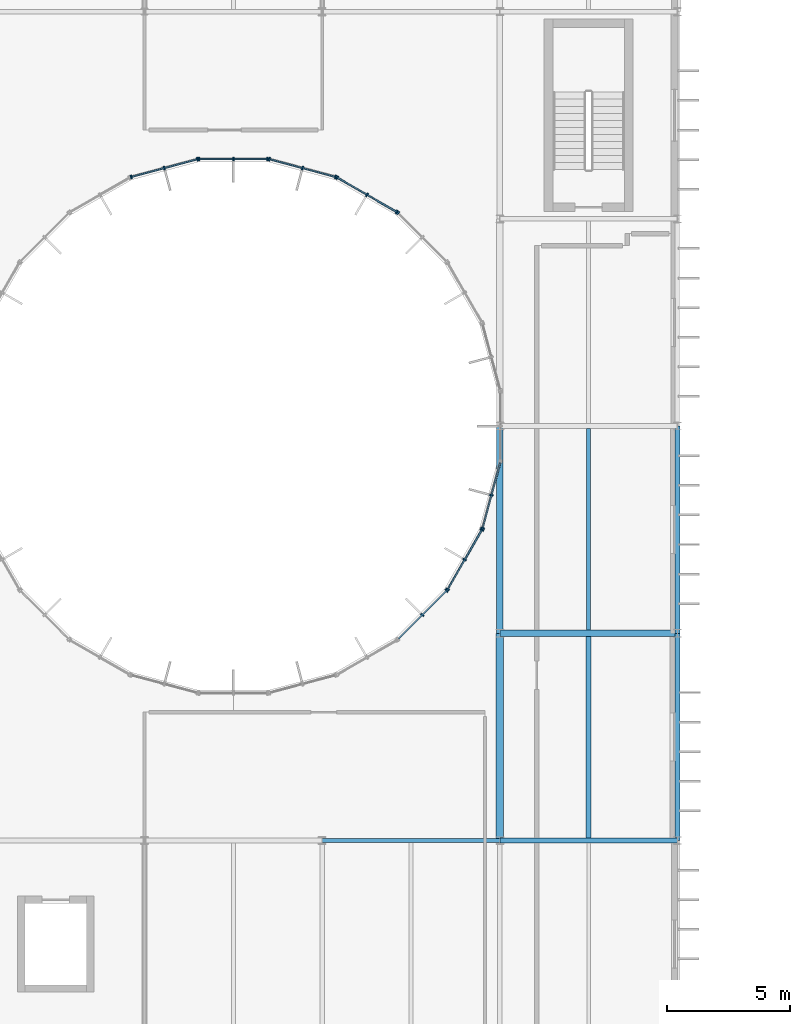
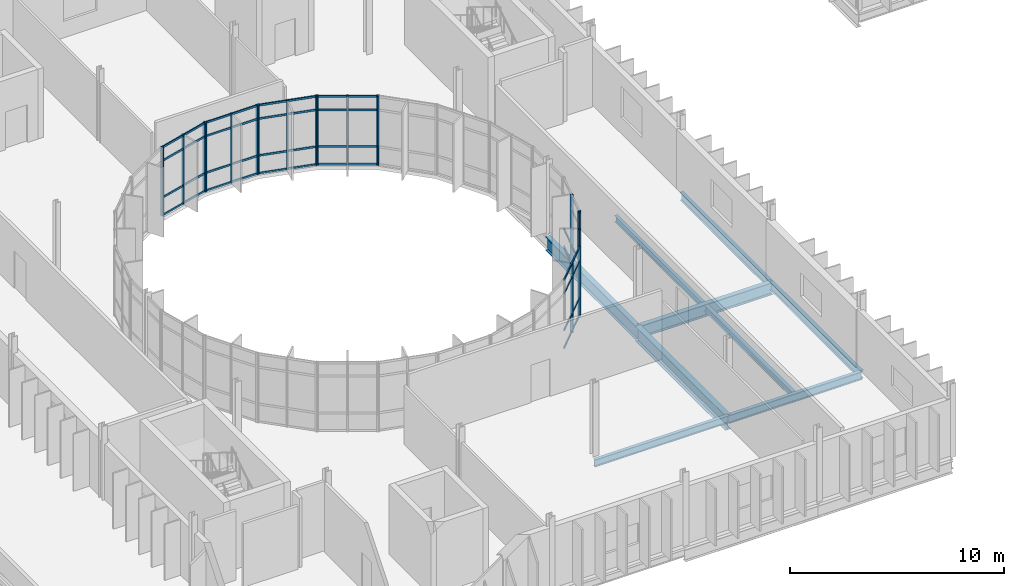
# One storey, part 16 of 52: 46 members, 9 beams, 8 elements without a shape of their own.
"""IFC4 building model written with IfcOpenShell, lengths in metres."""

from ifc_helpers import new_model, si_unit, direction, frame, origin, origin_2d, place, context, subcontext, project, spatial, rectangle, i_section, extrude, material, material_profile, profile_set, type_object, element, aggregate, save


model = new_model("IFC4")

# Units and contexts
model_context = context("Model", 3, precision=1e-05, world=origin(), true_north=direction((0.0, 1.0)))
body_context = subcontext(model_context, "Body", "Model", "MODEL_VIEW")
ifc_project = project(units=[si_unit("LENGTHUNIT", "METRE"), si_unit("AREAUNIT", "SQUARE_METRE"), si_unit("VOLUMEUNIT", "CUBIC_METRE"), si_unit("PLANEANGLEUNIT", "RADIAN"), si_unit("MASSUNIT", "GRAM", prefix="KILO")], contexts=[model_context])

# Site, building, storey
site_placement = place(None, origin())
site = spatial("IfcSite", under=ifc_project, at=site_placement, CompositionType="ELEMENT")
building_placement = place(site_placement, origin())
building = spatial("IfcBuilding", under=site, at=building_placement, Name="Qelthora Terrace Specialist Clinic", CompositionType="ELEMENT")
storey_placement = place(building_placement, frame((0.0, 0.0, 17.39990234375)))
storey = spatial("IfcBuildingStorey", under=building, at=storey_placement, Name="L04", CompositionType="ELEMENT", Elevation=17.39990234375)

# Beams
ifc_material_1 = material(Name="Steel S355", Category="steel")
ifc_material_profile_1 = material_profile(ifc_material_1, i_section(OverallWidth=0.179931640625, OverallDepth=0.4130859375, WebThickness=0.009765625, FlangeThickness=0.01611328125, FilletRadius=0.011962890625, at=origin_2d()), Name="W410X75")
ifc_profile_set_1 = profile_set([ifc_material_profile_1], Name="Steel S355")
beam_type_1 = type_object("IfcBeamType", Name="BM-W410X75", PredefinedType="BEAM", material=ifc_profile_set_1)
beam_1_placement = place(storey_placement, frame((28.800048828125, 67.199951171875, -0.456298828125), z_axis=(1.0, 0.0, 0.0), x_axis=(0.0, 1.0, 0.0)))
element("IfcBeam", 1, at=beam_1_placement, inside=storey, type_object=beam_type_1, Name="Girder BMX-L04-1157", PredefinedType="BEAM", context=body_context, shape_type="SweptSolid", body=[
    extrude(i_section(OverallWidth=0.179931640625, OverallDepth=0.4130859375, WebThickness=0.009765625, FlangeThickness=0.01611328125, FilletRadius=0.011962890625, at=origin_2d()), origin(), (0.0, 0.0, 1.0), 7.199951171875),
])
ifc_material_profile_2 = material_profile(ifc_material_1, i_section(OverallWidth=0.19091796875, OverallDepth=0.4599609375, WebThickness=0.010009765625, FlangeThickness=0.01611328125, FilletRadius=0.012939453125, at=origin_2d()), Name="W460X82")
ifc_profile_set_2 = profile_set([ifc_material_profile_2], Name="Steel S355")
beam_type_2 = type_object("IfcBeamType", Name="BM-W460X82", PredefinedType="BEAM", material=ifc_profile_set_2)
beam_2_placement = place(storey_placement, frame((36.0, 67.199951171875, -0.47998046875), z_axis=(1.0, 0.0, 0.0), x_axis=(0.0, 1.0, 0.0)))
element("IfcBeam", 2, at=beam_2_placement, inside=storey, type_object=beam_type_2, Name="Girder BMX-L04-1158", PredefinedType="BEAM", context=body_context, shape_type="SweptSolid", body=[
    extrude(i_section(OverallWidth=0.19091796875, OverallDepth=0.4599609375, WebThickness=0.010009765625, FlangeThickness=0.01611328125, FilletRadius=0.012939453125, at=origin_2d()), origin(), (0.0, 0.0, 1.0), 7.199951171875),
])
beam_3_placement = place(storey_placement, frame((43.199951171875, 75.60009765625, -0.47998046875), z_axis=(0.0, 1.0, 0.0), x_axis=(-1.0, 0.0, 0.0)))
element("IfcBeam", 3, at=beam_3_placement, inside=storey, type_object=beam_type_2, Name="Girder BMY-L04-1238", PredefinedType="BEAM", context=body_context, shape_type="SweptSolid", body=[
    extrude(i_section(OverallWidth=0.19091796875, OverallDepth=0.4599609375, WebThickness=0.010009765625, FlangeThickness=0.01611328125, FilletRadius=0.012939453125, at=origin_2d()), origin(), (0.0, 0.0, 1.0), 8.39990234375),
])
ifc_material_profile_3 = material_profile(ifc_material_1, i_section(OverallWidth=0.193115234375, OverallDepth=0.466064453125, WebThickness=0.011474609375, FlangeThickness=0.01904296875, FilletRadius=0.012939453125, at=origin_2d()), Name="W460X97")
ifc_profile_set_3 = profile_set([ifc_material_profile_3], Name="Steel S355")
beam_type_3 = type_object("IfcBeamType", Name="BM-W460X97", PredefinedType="BEAM", material=ifc_profile_set_3)
beam_4_placement = place(storey_placement, frame((43.199951171875, 67.199951171875, -0.48291015625), z_axis=(0.0, 1.0, 0.0), x_axis=(-1.0, 0.0, 0.0)))
element("IfcBeam", 4, at=beam_4_placement, inside=storey, type_object=beam_type_3, Name="Girder BMY-L04-1237", PredefinedType="BEAM", context=body_context, shape_type="SweptSolid", body=[
    extrude(i_section(OverallWidth=0.193115234375, OverallDepth=0.466064453125, WebThickness=0.011474609375, FlangeThickness=0.01904296875, FilletRadius=0.012939453125, at=origin_2d()), origin(), (0.0, 0.0, 1.0), 8.400146484375),
])
ifc_material_profile_4 = material_profile(ifc_material_1, i_section(OverallWidth=0.256103515625, OverallDepth=0.693115234375, WebThickness=0.014404296875, FlangeThickness=0.023681640625, FilletRadius=0.01806640625, at=origin_2d()), Name="W690X170")
ifc_profile_set_4 = profile_set([ifc_material_profile_4], Name="Steel S355")
beam_type_4 = type_object("IfcBeamType", Name="BM-W690X170", PredefinedType="BEAM", material=ifc_profile_set_4)
beam_5_placement = place(storey_placement, frame((36.0, 75.60009765625, -0.596435546875), z_axis=(1.0, 0.0, 0.0), x_axis=(0.0, 1.0, 0.0)))
element("IfcBeam", 5, at=beam_5_placement, inside=storey, type_object=beam_type_4, Name="Girder BMX-L04-1163", PredefinedType="BEAM", context=body_context, shape_type="SweptSolid", body=[
    extrude(i_section(OverallWidth=0.256103515625, OverallDepth=0.693115234375, WebThickness=0.014404296875, FlangeThickness=0.023681640625, FilletRadius=0.01806640625, at=origin_2d()), origin(), (0.0, 0.0, 1.0), 7.199951171875),
])
ifc_material_profile_5 = material_profile(ifc_material_1, i_section(OverallWidth=0.26806640625, OverallDepth=0.77001953125, WebThickness=0.015625, FlangeThickness=0.025390625, FilletRadius=0.01904296875, at=origin_2d()), Name="W760X196")
ifc_profile_set_5 = profile_set([ifc_material_profile_5], Name="Steel S355")
beam_type_5 = type_object("IfcBeamType", Name="BM-W760X196", PredefinedType="BEAM", material=ifc_profile_set_5)
beam_6_placement = place(storey_placement, frame((36.0, 75.60009765625, -0.635009765625), z_axis=(0.0, 1.0, 0.0), x_axis=(-1.0, 0.0, 0.0)))
element("IfcBeam", 6, at=beam_6_placement, inside=storey, type_object=beam_type_5, Name="Girder BMY-L04-1232", PredefinedType="BEAM", context=body_context, shape_type="SweptSolid", body=[
    extrude(i_section(OverallWidth=0.26806640625, OverallDepth=0.77001953125, WebThickness=0.015625, FlangeThickness=0.025390625, FilletRadius=0.01904296875, at=origin_2d()), origin(), (0.0, 0.0, 1.0), 8.39990234375),
])
ifc_material_profile_6 = material_profile(ifc_material_1, i_section(OverallWidth=0.2939453125, OverallDepth=0.85107421875, WebThickness=0.01611328125, FlangeThickness=0.02685546875, FilletRadius=0.02001953125, at=origin_2d()), Name="W840X226")
ifc_profile_set_6 = profile_set([ifc_material_profile_6], Name="Steel S355")
beam_type_6 = type_object("IfcBeamType", Name="BM-W840X226", PredefinedType="BEAM", material=ifc_profile_set_6)
beam_7_placement = place(storey_placement, frame((36.0, 67.199951171875, -0.67529296875), z_axis=(0.0, 1.0, 0.0), x_axis=(-1.0, 0.0, 0.0)))
element("IfcBeam", 7, at=beam_7_placement, inside=storey, type_object=beam_type_6, Name="Girder BMY-L04-1231", PredefinedType="BEAM", context=body_context, shape_type="SweptSolid", body=[
    extrude(i_section(OverallWidth=0.2939453125, OverallDepth=0.85107421875, WebThickness=0.01611328125, FlangeThickness=0.02685546875, FilletRadius=0.02001953125, at=origin_2d()), origin(), (0.0, 0.0, 1.0), 8.400146484375),
])

# Curtain wall, member
ifc_material_2 = material(Name="Aluminium anodized bronze", Category="aluminium")
curtain_wall_type = type_object("IfcCurtainWallType", Name="CW-CRTW-UPP", PredefinedType="NOTDEFINED", material=ifc_material_2)
curtain_wall_1_placement = place(storey_placement, origin())
curtain_wall_1 = element("IfcCurtainWall", 8, at=curtain_wall_1_placement, inside=storey, type_object=curtain_wall_type, Name="Curtain wall CW-CW-L04-03", PredefinedType="NOTDEFINED")
ifc_material_profile_7 = material_profile(ifc_material_2, rectangle(XDim=0.06005859375, YDim=0.14990234375, at=origin_2d()), Name="CWM60X150")
ifc_profile_set_7 = profile_set([ifc_material_profile_7], Name="Aluminium anodized bronze")
member_type_1 = type_object("IfcMemberType", Name="CWM-60X150", PredefinedType="MULLION", material=ifc_profile_set_7)
member_1_placement = place(storey_placement, frame((31.87353515625, 92.638916015625, 0.0), z_axis=(0.0, 0.0, 1.0), x_axis=(-0.707106781187, 0.707106781187, 0.0)))
member_1 = element("IfcMember", 9, at=member_1_placement, type_object=member_type_1, Name="CW-CW-L04-03 mullion 3", PredefinedType="MULLION", context=body_context, shape_type="SweptSolid", body=[
    extrude(rectangle(XDim=0.06005859375, YDim=0.14990234375, at=origin_2d()), origin(), (0.0, 0.0, 1.0), 3.945068359375),
])
aggregate(curtain_wall_1, [member_1])

# Curtain wall, members
curtain_wall_2_placement = place(storey_placement, origin())
curtain_wall_2 = element("IfcCurtainWall", 10, at=curtain_wall_2_placement, inside=storey, type_object=curtain_wall_type, Name="Curtain wall CW-CW-L04-04", PredefinedType="NOTDEFINED")
member_2_placement = place(storey_placement, frame((31.8173828125, 92.68212890625, 0.0), z_axis=(0.0, 0.0, 1.0), x_axis=(-0.866025635896, 0.499999597971, 0.0)))
member_2 = element("IfcMember", 11, at=member_2_placement, type_object=member_type_1, Name="CW-CW-L04-04 mullion 1", PredefinedType="MULLION", context=body_context, shape_type="SweptSolid", body=[
    extrude(rectangle(XDim=0.06005859375, YDim=0.14990234375, at=origin_2d()), origin(), (0.0, 0.0, 1.0), 3.945068359375),
])
member_3_placement = place(storey_placement, frame((30.61376953125, 93.376953125, 0.0), z_axis=(0.0, 0.0, 1.0), x_axis=(-0.866025635896, 0.499999597971, 0.0)))
member_3 = element("IfcMember", 12, at=member_3_placement, type_object=member_type_1, Name="CW-CW-L04-04 mullion 2", PredefinedType="MULLION", context=body_context, shape_type="SweptSolid", body=[
    extrude(rectangle(XDim=0.06005859375, YDim=0.14990234375, at=origin_2d()), origin(), (0.0, 0.0, 1.0), 3.945068359375),
])
member_4_placement = place(storey_placement, frame((29.410400390625, 94.07177734375, 0.0), z_axis=(0.0, 0.0, 1.0), x_axis=(-0.866025635896, 0.499999597971, 0.0)))
member_4 = element("IfcMember", 13, at=member_4_placement, type_object=member_type_1, Name="CW-CW-L04-04 mullion 3", PredefinedType="MULLION", context=body_context, shape_type="SweptSolid", body=[
    extrude(rectangle(XDim=0.06005859375, YDim=0.14990234375, at=origin_2d()), origin(), (0.0, 0.0, 1.0), 3.945068359375),
])

curtain_wall_3_placement = place(storey_placement, origin())
curtain_wall_3 = element("IfcCurtainWall", 14, at=curtain_wall_3_placement, inside=storey, type_object=curtain_wall_type, Name="Curtain wall CW-CW-L04-05", PredefinedType="NOTDEFINED")
member_5_placement = place(storey_placement, frame((29.3447265625, 94.098876953125, 0.0), z_axis=(0.0, 0.0, 1.0), x_axis=(-0.96592547477, 0.258820356987, 0.0)))
member_5 = element("IfcMember", 15, at=member_5_placement, type_object=member_type_1, Name="CW-CW-L04-05 mullion 1", PredefinedType="MULLION", context=body_context, shape_type="SweptSolid", body=[
    extrude(rectangle(XDim=0.06005859375, YDim=0.14990234375, at=origin_2d()), origin(), (0.0, 0.0, 1.0), 3.945068359375),
])
member_6_placement = place(storey_placement, frame((28.00244140625, 94.458740234375, 0.0), z_axis=(0.0, 0.0, 1.0), x_axis=(-0.96592547477, 0.258820356987, 0.0)))
member_6 = element("IfcMember", 16, at=member_6_placement, type_object=member_type_1, Name="CW-CW-L04-05 mullion 2", PredefinedType="MULLION", context=body_context, shape_type="SweptSolid", body=[
    extrude(rectangle(XDim=0.06005859375, YDim=0.14990234375, at=origin_2d()), origin(), (0.0, 0.0, 1.0), 3.945068359375),
])
member_7_placement = place(storey_placement, frame((26.66015625, 94.818359375, 0.0), z_axis=(0.0, 0.0, 1.0), x_axis=(-0.96592547477, 0.258820356987, 0.0)))
member_7 = element("IfcMember", 17, at=member_7_placement, type_object=member_type_1, Name="CW-CW-L04-05 mullion 3", PredefinedType="MULLION", context=body_context, shape_type="SweptSolid", body=[
    extrude(rectangle(XDim=0.06005859375, YDim=0.14990234375, at=origin_2d()), origin(), (0.0, 0.0, 1.0), 3.945068359375),
])

curtain_wall_4_placement = place(storey_placement, origin())
curtain_wall_4 = element("IfcCurtainWall", 18, at=curtain_wall_4_placement, inside=storey, type_object=curtain_wall_type, Name="Curtain wall CW-CW-L04-06", PredefinedType="NOTDEFINED")
member_8_placement = place(storey_placement, frame((26.589599609375, 94.82763671875, 0.0), z_axis=(0.0, 0.0, 1.0), x_axis=(-1.0, 0.0, 0.0)))
member_8 = element("IfcMember", 19, at=member_8_placement, type_object=member_type_1, Name="CW-CW-L04-06 mullion 1", PredefinedType="MULLION", context=body_context, shape_type="SweptSolid", body=[
    extrude(rectangle(XDim=0.06005859375, YDim=0.14990234375, at=origin_2d()), origin(), (0.0, 0.0, 1.0), 3.945068359375),
])
member_9_placement = place(storey_placement, frame((25.199951171875, 94.82763671875, 0.0), z_axis=(0.0, 0.0, 1.0), x_axis=(-1.0, 0.0, 0.0)))
member_9 = element("IfcMember", 20, at=member_9_placement, type_object=member_type_1, Name="CW-CW-L04-06 mullion 2", PredefinedType="MULLION", context=body_context, shape_type="SweptSolid", body=[
    extrude(rectangle(XDim=0.06005859375, YDim=0.14990234375, at=origin_2d()), origin(), (0.0, 0.0, 1.0), 3.945068359375),
])
member_10_placement = place(storey_placement, frame((23.810302734375, 94.82763671875, 0.0), z_axis=(0.0, 0.0, 1.0), x_axis=(-1.0, 0.0, 0.0)))
member_10 = element("IfcMember", 21, at=member_10_placement, type_object=member_type_1, Name="CW-CW-L04-06 mullion 3", PredefinedType="MULLION", context=body_context, shape_type="SweptSolid", body=[
    extrude(rectangle(XDim=0.06005859375, YDim=0.14990234375, at=origin_2d()), origin(), (0.0, 0.0, 1.0), 3.945068359375),
])

curtain_wall_5_placement = place(storey_placement, origin())
curtain_wall_5 = element("IfcCurtainWall", 22, at=curtain_wall_5_placement, inside=storey, type_object=curtain_wall_type, Name="Curtain wall CW-CW-L04-07", PredefinedType="NOTDEFINED")
member_11_placement = place(storey_placement, frame((23.739990234375, 94.818359375, 0.0), z_axis=(0.0, 0.0, 1.0), x_axis=(-0.96592547477, -0.258820356987, 0.0)))
member_11 = element("IfcMember", 23, at=member_11_placement, type_object=member_type_1, Name="CW-CW-L04-07 mullion 1", PredefinedType="MULLION", context=body_context, shape_type="SweptSolid", body=[
    extrude(rectangle(XDim=0.06005859375, YDim=0.14990234375, at=origin_2d()), origin(), (0.0, 0.0, 1.0), 3.945068359375),
])
member_12_placement = place(storey_placement, frame((22.397705078125, 94.458740234375, 0.0), z_axis=(0.0, 0.0, 1.0), x_axis=(-0.96592547477, -0.258820356987, 0.0)))
member_12 = element("IfcMember", 24, at=member_12_placement, type_object=member_type_1, Name="CW-CW-L04-07 mullion 2", PredefinedType="MULLION", context=body_context, shape_type="SweptSolid", body=[
    extrude(rectangle(XDim=0.06005859375, YDim=0.14990234375, at=origin_2d()), origin(), (0.0, 0.0, 1.0), 3.945068359375),
])
member_13_placement = place(storey_placement, frame((21.05517578125, 94.098876953125, 0.0), z_axis=(0.0, 0.0, 1.0), x_axis=(-0.96592547477, -0.258820356987, 0.0)))
member_13 = element("IfcMember", 25, at=member_13_placement, type_object=member_type_1, Name="CW-CW-L04-07 mullion 3", PredefinedType="MULLION", context=body_context, shape_type="SweptSolid", body=[
    extrude(rectangle(XDim=0.06005859375, YDim=0.14990234375, at=origin_2d()), origin(), (0.0, 0.0, 1.0), 3.945068359375),
])

curtain_wall_6_placement = place(storey_placement, origin())
curtain_wall_6 = element("IfcCurtainWall", 26, at=curtain_wall_6_placement, inside=storey, type_object=curtain_wall_type, Name="Curtain wall CW-CW-L04-21", PredefinedType="NOTDEFINED")
member_14_placement = place(storey_placement, frame((32.856201171875, 76.34375, 0.0), z_axis=(0.0, 0.0, 1.0), x_axis=(0.707106781187, 0.707106781187, 0.0)))
member_14 = element("IfcMember", 27, at=member_14_placement, type_object=member_type_1, Name="CW-CW-L04-21 mullion 2", PredefinedType="MULLION", context=body_context, shape_type="SweptSolid", body=[
    extrude(rectangle(XDim=0.06005859375, YDim=0.14990234375, at=origin_2d()), origin(), (0.0, 0.0, 1.0), 3.945068359375),
])
member_15_placement = place(storey_placement, frame((33.8388671875, 77.326416015625, 0.0), z_axis=(0.0, 0.0, 1.0), x_axis=(0.707106781187, 0.707106781187, 0.0)))
member_15 = element("IfcMember", 28, at=member_15_placement, type_object=member_type_1, Name="CW-CW-L04-21 mullion 3", PredefinedType="MULLION", context=body_context, shape_type="SweptSolid", body=[
    extrude(rectangle(XDim=0.06005859375, YDim=0.14990234375, at=origin_2d()), origin(), (0.0, 0.0, 1.0), 3.945068359375),
])

curtain_wall_7_placement = place(storey_placement, origin())
curtain_wall_7 = element("IfcCurtainWall", 29, at=curtain_wall_7_placement, inside=storey, type_object=curtain_wall_type, Name="Curtain wall CW-CW-L04-22", PredefinedType="NOTDEFINED")
member_16_placement = place(storey_placement, frame((33.882080078125, 77.3828125, 0.0), z_axis=(0.0, 0.0, 1.0), x_axis=(0.499999597971, 0.866025635896, 0.0)))
member_16 = element("IfcMember", 30, at=member_16_placement, type_object=member_type_1, Name="CW-CW-L04-22 mullion 1", PredefinedType="MULLION", context=body_context, shape_type="SweptSolid", body=[
    extrude(rectangle(XDim=0.06005859375, YDim=0.14990234375, at=origin_2d()), origin(), (0.0, 0.0, 1.0), 3.945068359375),
])
member_17_placement = place(storey_placement, frame((34.576904296875, 78.586181640625, 0.0), z_axis=(0.0, 0.0, 1.0), x_axis=(0.499999597971, 0.866025635896, 0.0)))
member_17 = element("IfcMember", 31, at=member_17_placement, type_object=member_type_1, Name="CW-CW-L04-22 mullion 2", PredefinedType="MULLION", context=body_context, shape_type="SweptSolid", body=[
    extrude(rectangle(XDim=0.06005859375, YDim=0.14990234375, at=origin_2d()), origin(), (0.0, 0.0, 1.0), 3.945068359375),
])
member_18_placement = place(storey_placement, frame((35.271728515625, 79.789794921875, 0.0), z_axis=(0.0, 0.0, 1.0), x_axis=(0.499999597971, 0.866025635896, 0.0)))
member_18 = element("IfcMember", 32, at=member_18_placement, type_object=member_type_1, Name="CW-CW-L04-22 mullion 3", PredefinedType="MULLION", context=body_context, shape_type="SweptSolid", body=[
    extrude(rectangle(XDim=0.06005859375, YDim=0.14990234375, at=origin_2d()), origin(), (0.0, 0.0, 1.0), 3.945068359375),
])

curtain_wall_8_placement = place(storey_placement, origin())
curtain_wall_8 = element("IfcCurtainWall", 33, at=curtain_wall_8_placement, inside=storey, type_object=curtain_wall_type, Name="Curtain wall CW-CW-L04-23", PredefinedType="NOTDEFINED")
member_19_placement = place(storey_placement, frame((35.299072265625, 79.855224609375, 0.0), z_axis=(0.0, 0.0, 1.0), x_axis=(0.258820356987, 0.96592547477, 0.0)))
member_19 = element("IfcMember", 34, at=member_19_placement, type_object=member_type_1, Name="CW-CW-L04-23 mullion 1", PredefinedType="MULLION", context=body_context, shape_type="SweptSolid", body=[
    extrude(rectangle(XDim=0.06005859375, YDim=0.14990234375, at=origin_2d()), origin(), (0.0, 0.0, 1.0), 3.945068359375),
])
member_20_placement = place(storey_placement, frame((35.65869140625, 81.197509765625, 0.0), z_axis=(0.0, 0.0, 1.0), x_axis=(0.258820356987, 0.96592547477, 0.0)))
member_20 = element("IfcMember", 35, at=member_20_placement, type_object=member_type_1, Name="CW-CW-L04-23 mullion 2", PredefinedType="MULLION", context=body_context, shape_type="SweptSolid", body=[
    extrude(rectangle(XDim=0.06005859375, YDim=0.14990234375, at=origin_2d()), origin(), (0.0, 0.0, 1.0), 3.945068359375),
])

# Member
ifc_material_profile_8 = material_profile(ifc_material_2, rectangle(XDim=0.06005859375, YDim=0.110107421875, at=origin_2d()), Name="CWT60X110")
ifc_profile_set_8 = profile_set([ifc_material_profile_8], Name="Aluminium anodized bronze")
member_type_2 = type_object("IfcMemberType", Name="CWT-60X110", PredefinedType="USERDEFINED", material=ifc_profile_set_8)
member_21_placement = place(storey_placement, frame((31.800048828125, 92.692138671875, 0.0400390625), z_axis=(-0.866029747927, 0.499992475648, 0.0), x_axis=(-0.499992475648, -0.866029747927, 0.0)))
member_21 = element("IfcMember", 36, at=member_21_placement, type_object=member_type_2, Name="CW-CW-L04-04 transom 1", ObjectType="TRANSOM", PredefinedType="USERDEFINED", context=body_context, shape_type="SweptSolid", body=[
    extrude(rectangle(XDim=0.06005859375, YDim=0.110107421875, at=origin_2d()), origin(), (0.0, 0.0, 1.0), 2.7392578125),
])

member_22_placement = place(storey_placement, frame((31.800048828125, 92.692138671875, 1.050048828125), z_axis=(-0.866029747927, 0.499992475648, 0.0), x_axis=(-0.499992475648, -0.866029747927, 0.0)))
member_22 = element("IfcMember", 37, at=member_22_placement, type_object=member_type_2, Name="CW-CW-L04-04 transom 2", ObjectType="TRANSOM", PredefinedType="USERDEFINED", context=body_context, shape_type="SweptSolid", body=[
    extrude(rectangle(XDim=0.06005859375, YDim=0.110107421875, at=origin_2d()), origin(), (0.0, 0.0, 1.0), 2.7392578125),
])

member_23_placement = place(storey_placement, frame((31.800048828125, 92.692138671875, 3.14501953125), z_axis=(-0.866029747927, 0.499992475648, 0.0), x_axis=(-0.499992475648, -0.866029747927, 0.0)))
member_23 = element("IfcMember", 38, at=member_23_placement, type_object=member_type_2, Name="CW-CW-L04-04 transom 3", ObjectType="TRANSOM", PredefinedType="USERDEFINED", context=body_context, shape_type="SweptSolid", body=[
    extrude(rectangle(XDim=0.06005859375, YDim=0.110107421875, at=origin_2d()), origin(), (0.0, 0.0, 1.0), 2.7392578125),
])

member_24_placement = place(storey_placement, frame((31.800048828125, 92.692138671875, 3.905029296875), z_axis=(-0.866029747927, 0.499992475648, 0.0), x_axis=(-0.499992475648, -0.866029747927, 0.0)))
member_24 = element("IfcMember", 39, at=member_24_placement, type_object=member_type_2, Name="CW-CW-L04-04 transom 4", ObjectType="TRANSOM", PredefinedType="USERDEFINED", context=body_context, shape_type="SweptSolid", body=[
    extrude(rectangle(XDim=0.06005859375, YDim=0.110107421875, at=origin_2d()), origin(), (0.0, 0.0, 1.0), 2.7392578125),
])

aggregate(curtain_wall_2, [member_2, member_3, member_4, member_21, member_22, member_23, member_24])

member_25_placement = place(storey_placement, frame((29.325439453125, 94.104248046875, 0.0400390625), z_axis=(-0.965926569303, 0.258816272122, 0.0), x_axis=(-0.258816272122, -0.965926569303, 0.0)))
member_25 = element("IfcMember", 40, at=member_25_placement, type_object=member_type_2, Name="CW-CW-L04-05 transom 1", ObjectType="TRANSOM", PredefinedType="USERDEFINED", context=body_context, shape_type="SweptSolid", body=[
    extrude(rectangle(XDim=0.06005859375, YDim=0.110107421875, at=origin_2d()), origin(), (0.0, 0.0, 1.0), 2.7392578125),
])

member_26_placement = place(storey_placement, frame((29.325439453125, 94.104248046875, 1.050048828125), z_axis=(-0.965926569303, 0.258816272122, 0.0), x_axis=(-0.258816272122, -0.965926569303, 0.0)))
member_26 = element("IfcMember", 41, at=member_26_placement, type_object=member_type_2, Name="CW-CW-L04-05 transom 2", ObjectType="TRANSOM", PredefinedType="USERDEFINED", context=body_context, shape_type="SweptSolid", body=[
    extrude(rectangle(XDim=0.06005859375, YDim=0.110107421875, at=origin_2d()), origin(), (0.0, 0.0, 1.0), 2.7392578125),
])

member_27_placement = place(storey_placement, frame((29.325439453125, 94.104248046875, 3.14501953125), z_axis=(-0.965926569303, 0.258816272122, 0.0), x_axis=(-0.258816272122, -0.965926569303, 0.0)))
member_27 = element("IfcMember", 42, at=member_27_placement, type_object=member_type_2, Name="CW-CW-L04-05 transom 3", ObjectType="TRANSOM", PredefinedType="USERDEFINED", context=body_context, shape_type="SweptSolid", body=[
    extrude(rectangle(XDim=0.06005859375, YDim=0.110107421875, at=origin_2d()), origin(), (0.0, 0.0, 1.0), 2.7392578125),
])

member_28_placement = place(storey_placement, frame((29.325439453125, 94.104248046875, 3.905029296875), z_axis=(-0.965926569303, 0.258816272122, 0.0), x_axis=(-0.258816272122, -0.965926569303, 0.0)))
member_28 = element("IfcMember", 43, at=member_28_placement, type_object=member_type_2, Name="CW-CW-L04-05 transom 4", ObjectType="TRANSOM", PredefinedType="USERDEFINED", context=body_context, shape_type="SweptSolid", body=[
    extrude(rectangle(XDim=0.06005859375, YDim=0.110107421875, at=origin_2d()), origin(), (0.0, 0.0, 1.0), 2.7392578125),
])

aggregate(curtain_wall_3, [member_5, member_6, member_7, member_25, member_26, member_27, member_28])

member_29_placement = place(storey_placement, frame((26.569580078125, 94.82763671875, 0.0400390625), z_axis=(-1.0, 0.0, 0.0), x_axis=(0.0, -1.0, 0.0)))
member_29 = element("IfcMember", 44, at=member_29_placement, type_object=member_type_2, Name="CW-CW-L04-06 transom 1", ObjectType="TRANSOM", PredefinedType="USERDEFINED", context=body_context, shape_type="SweptSolid", body=[
    extrude(rectangle(XDim=0.06005859375, YDim=0.110107421875, at=origin_2d()), origin(), (0.0, 0.0, 1.0), 2.7392578125),
])

member_30_placement = place(storey_placement, frame((26.569580078125, 94.82763671875, 1.050048828125), z_axis=(-1.0, 0.0, 0.0), x_axis=(0.0, -1.0, 0.0)))
member_30 = element("IfcMember", 45, at=member_30_placement, type_object=member_type_2, Name="CW-CW-L04-06 transom 2", ObjectType="TRANSOM", PredefinedType="USERDEFINED", context=body_context, shape_type="SweptSolid", body=[
    extrude(rectangle(XDim=0.06005859375, YDim=0.110107421875, at=origin_2d()), origin(), (0.0, 0.0, 1.0), 2.7392578125),
])

member_31_placement = place(storey_placement, frame((26.569580078125, 94.82763671875, 3.14501953125), z_axis=(-1.0, 0.0, 0.0), x_axis=(0.0, -1.0, 0.0)))
member_31 = element("IfcMember", 46, at=member_31_placement, type_object=member_type_2, Name="CW-CW-L04-06 transom 3", ObjectType="TRANSOM", PredefinedType="USERDEFINED", context=body_context, shape_type="SweptSolid", body=[
    extrude(rectangle(XDim=0.06005859375, YDim=0.110107421875, at=origin_2d()), origin(), (0.0, 0.0, 1.0), 2.7392578125),
])

member_32_placement = place(storey_placement, frame((26.569580078125, 94.82763671875, 3.905029296875), z_axis=(-1.0, 0.0, 0.0), x_axis=(0.0, -1.0, 0.0)))
member_32 = element("IfcMember", 47, at=member_32_placement, type_object=member_type_2, Name="CW-CW-L04-06 transom 4", ObjectType="TRANSOM", PredefinedType="USERDEFINED", context=body_context, shape_type="SweptSolid", body=[
    extrude(rectangle(XDim=0.06005859375, YDim=0.110107421875, at=origin_2d()), origin(), (0.0, 0.0, 1.0), 2.7392578125),
])

aggregate(curtain_wall_4, [member_8, member_9, member_10, member_29, member_30, member_31, member_32])

member_33_placement = place(storey_placement, frame((23.720703125, 94.813232421875, 0.0400390625), z_axis=(-0.965926569303, -0.258816272122, 0.0), x_axis=(0.258816272122, -0.965926569303, 0.0)))
member_33 = element("IfcMember", 48, at=member_33_placement, type_object=member_type_2, Name="CW-CW-L04-07 transom 1", ObjectType="TRANSOM", PredefinedType="USERDEFINED", context=body_context, shape_type="SweptSolid", body=[
    extrude(rectangle(XDim=0.06005859375, YDim=0.110107421875, at=origin_2d()), origin(), (0.0, 0.0, 1.0), 2.7392578125),
])

member_34_placement = place(storey_placement, frame((23.720703125, 94.813232421875, 1.050048828125), z_axis=(-0.965926569303, -0.258816272122, 0.0), x_axis=(0.258816272122, -0.965926569303, 0.0)))
member_34 = element("IfcMember", 49, at=member_34_placement, type_object=member_type_2, Name="CW-CW-L04-07 transom 2", ObjectType="TRANSOM", PredefinedType="USERDEFINED", context=body_context, shape_type="SweptSolid", body=[
    extrude(rectangle(XDim=0.06005859375, YDim=0.110107421875, at=origin_2d()), origin(), (0.0, 0.0, 1.0), 2.7392578125),
])

member_35_placement = place(storey_placement, frame((23.720703125, 94.813232421875, 3.14501953125), z_axis=(-0.965926569303, -0.258816272122, 0.0), x_axis=(0.258816272122, -0.965926569303, 0.0)))
member_35 = element("IfcMember", 50, at=member_35_placement, type_object=member_type_2, Name="CW-CW-L04-07 transom 3", ObjectType="TRANSOM", PredefinedType="USERDEFINED", context=body_context, shape_type="SweptSolid", body=[
    extrude(rectangle(XDim=0.06005859375, YDim=0.110107421875, at=origin_2d()), origin(), (0.0, 0.0, 1.0), 2.7392578125),
])

member_36_placement = place(storey_placement, frame((23.720703125, 94.813232421875, 3.905029296875), z_axis=(-0.965926569303, -0.258816272122, 0.0), x_axis=(0.258816272122, -0.965926569303, 0.0)))
member_36 = element("IfcMember", 51, at=member_36_placement, type_object=member_type_2, Name="CW-CW-L04-07 transom 4", ObjectType="TRANSOM", PredefinedType="USERDEFINED", context=body_context, shape_type="SweptSolid", body=[
    extrude(rectangle(XDim=0.06005859375, YDim=0.110107421875, at=origin_2d()), origin(), (0.0, 0.0, 1.0), 2.7392578125),
])

aggregate(curtain_wall_5, [member_11, member_12, member_13, member_33, member_34, member_35, member_36])

member_37_placement = place(storey_placement, frame((31.8876953125, 75.375244140625, 0.0400390625), z_axis=(0.707106781187, 0.707106781187, 0.0), x_axis=(-0.707106781187, 0.707106781187, 0.0)))
member_37 = element("IfcMember", 52, at=member_37_placement, type_object=member_type_2, Name="CW-CW-L04-21 transom 1", ObjectType="TRANSOM", PredefinedType="USERDEFINED", context=body_context, shape_type="SweptSolid", body=[
    extrude(rectangle(XDim=0.06005859375, YDim=0.110107421875, at=origin_2d()), origin(), (0.0, 0.0, 1.0), 2.7392578125),
])

member_38_placement = place(storey_placement, frame((31.8876953125, 75.375244140625, 1.050048828125), z_axis=(0.707106781187, 0.707106781187, 0.0), x_axis=(-0.707106781187, 0.707106781187, 0.0)))
member_38 = element("IfcMember", 53, at=member_38_placement, type_object=member_type_2, Name="CW-CW-L04-21 transom 2", ObjectType="TRANSOM", PredefinedType="USERDEFINED", context=body_context, shape_type="SweptSolid", body=[
    extrude(rectangle(XDim=0.06005859375, YDim=0.110107421875, at=origin_2d()), origin(), (0.0, 0.0, 1.0), 2.7392578125),
])

member_39_placement = place(storey_placement, frame((31.8876953125, 75.375244140625, 3.14501953125), z_axis=(0.707106781187, 0.707106781187, 0.0), x_axis=(-0.707106781187, 0.707106781187, 0.0)))
member_39 = element("IfcMember", 54, at=member_39_placement, type_object=member_type_2, Name="CW-CW-L04-21 transom 3", ObjectType="TRANSOM", PredefinedType="USERDEFINED", context=body_context, shape_type="SweptSolid", body=[
    extrude(rectangle(XDim=0.06005859375, YDim=0.110107421875, at=origin_2d()), origin(), (0.0, 0.0, 1.0), 2.7392578125),
])

member_40_placement = place(storey_placement, frame((31.8876953125, 75.375244140625, 3.905029296875), z_axis=(0.707106781187, 0.707106781187, 0.0), x_axis=(-0.707106781187, 0.707106781187, 0.0)))
member_40 = element("IfcMember", 55, at=member_40_placement, type_object=member_type_2, Name="CW-CW-L04-21 transom 4", ObjectType="TRANSOM", PredefinedType="USERDEFINED", context=body_context, shape_type="SweptSolid", body=[
    extrude(rectangle(XDim=0.06005859375, YDim=0.110107421875, at=origin_2d()), origin(), (0.0, 0.0, 1.0), 2.7392578125),
])

aggregate(curtain_wall_6, [member_14, member_15, member_37, member_38, member_39, member_40])

member_41_placement = place(storey_placement, frame((33.89208984375, 77.39990234375, 0.0400390625), z_axis=(0.499953886166, 0.866052025982, 0.0), x_axis=(-0.866052025982, 0.499953886166, 0.0)))
member_41 = element("IfcMember", 56, at=member_41_placement, type_object=member_type_2, Name="CW-CW-L04-22 transom 1", ObjectType="TRANSOM", PredefinedType="USERDEFINED", context=body_context, shape_type="SweptSolid", body=[
    extrude(rectangle(XDim=0.06005859375, YDim=0.110107421875, at=origin_2d()), origin(), (0.0, 0.0, 1.0), 2.739501953125),
])

member_42_placement = place(storey_placement, frame((33.89208984375, 77.39990234375, 1.050048828125), z_axis=(0.499953886166, 0.866052025982, 0.0), x_axis=(-0.866052025982, 0.499953886166, 0.0)))
member_42 = element("IfcMember", 57, at=member_42_placement, type_object=member_type_2, Name="CW-CW-L04-22 transom 2", ObjectType="TRANSOM", PredefinedType="USERDEFINED", context=body_context, shape_type="SweptSolid", body=[
    extrude(rectangle(XDim=0.06005859375, YDim=0.110107421875, at=origin_2d()), origin(), (0.0, 0.0, 1.0), 2.739501953125),
])

member_43_placement = place(storey_placement, frame((33.89208984375, 77.39990234375, 3.14501953125), z_axis=(0.499953886166, 0.866052025982, 0.0), x_axis=(-0.866052025982, 0.499953886166, 0.0)))
member_43 = element("IfcMember", 58, at=member_43_placement, type_object=member_type_2, Name="CW-CW-L04-22 transom 3", ObjectType="TRANSOM", PredefinedType="USERDEFINED", context=body_context, shape_type="SweptSolid", body=[
    extrude(rectangle(XDim=0.06005859375, YDim=0.110107421875, at=origin_2d()), origin(), (0.0, 0.0, 1.0), 2.739501953125),
])

member_44_placement = place(storey_placement, frame((33.89208984375, 77.39990234375, 3.905029296875), z_axis=(0.499953886166, 0.866052025982, 0.0), x_axis=(-0.866052025982, 0.499953886166, 0.0)))
member_44 = element("IfcMember", 59, at=member_44_placement, type_object=member_type_2, Name="CW-CW-L04-22 transom 4", ObjectType="TRANSOM", PredefinedType="USERDEFINED", context=body_context, shape_type="SweptSolid", body=[
    extrude(rectangle(XDim=0.06005859375, YDim=0.110107421875, at=origin_2d()), origin(), (0.0, 0.0, 1.0), 2.739501953125),
])

aggregate(curtain_wall_7, [member_16, member_17, member_18, member_41, member_42, member_43, member_44])

member_45_placement = place(storey_placement, frame((35.30419921875, 79.87451171875, 0.0400390625), z_axis=(0.258816272122, 0.965926569303, 0.0), x_axis=(-0.965926569303, 0.258816272122, 0.0)))
member_45 = element("IfcMember", 60, at=member_45_placement, type_object=member_type_2, Name="CW-CW-L04-23 transom 1", ObjectType="TRANSOM", PredefinedType="USERDEFINED", context=body_context, shape_type="SweptSolid", body=[
    extrude(rectangle(XDim=0.06005859375, YDim=0.110107421875, at=origin_2d()), origin(), (0.0, 0.0, 1.0), 2.7392578125),
])

member_46_placement = place(storey_placement, frame((35.30419921875, 79.87451171875, 1.050048828125), z_axis=(0.258816272122, 0.965926569303, 0.0), x_axis=(-0.965926569303, 0.258816272122, 0.0)))
member_46 = element("IfcMember", 61, at=member_46_placement, type_object=member_type_2, Name="CW-CW-L04-23 transom 2", ObjectType="TRANSOM", PredefinedType="USERDEFINED", context=body_context, shape_type="SweptSolid", body=[
    extrude(rectangle(XDim=0.06005859375, YDim=0.110107421875, at=origin_2d()), origin(), (0.0, 0.0, 1.0), 2.7392578125),
])

aggregate(curtain_wall_8, [member_19, member_20, member_45, member_46])

# Beams
ifc_material_profile_9 = material_profile(ifc_material_1, i_section(OverallWidth=0.172119140625, OverallDepth=0.35791015625, WebThickness=0.0078125, FlangeThickness=0.01318359375, FilletRadius=0.010986328125, at=origin_2d()), Name="W360X57")
ifc_profile_set_9 = profile_set([ifc_material_profile_9], Name="Steel S355")
beam_type_7 = type_object("IfcBeamType", Name="JST-W360X57", PredefinedType="JOIST", material=ifc_profile_set_9)
beam_8_placement = place(storey_placement, frame((39.60009765625, 75.72802734375, -0.428955078125), z_axis=(0.0, 1.0, 0.0), x_axis=(-1.0, 0.0, 0.0)))
element("IfcBeam", 62, at=beam_8_placement, inside=storey, type_object=beam_type_7, Name="Composite floor joist JST-L04-0272", PredefinedType="JOIST", context=body_context, shape_type="SweptSolid", body=[
    extrude(i_section(OverallWidth=0.172119140625, OverallDepth=0.35791015625, WebThickness=0.0078125, FlangeThickness=0.01318359375, FilletRadius=0.010986328125, at=origin_2d()), origin(), (0.0, 0.0, 1.0), 8.1669921875),
])
ifc_material_profile_10 = material_profile(ifc_material_1, i_section(OverallWidth=0.202880859375, OverallDepth=0.346923828125, WebThickness=0.0078125, FlangeThickness=0.013427734375, FilletRadius=0.010986328125, at=origin_2d()), Name="W360X64")
ifc_profile_set_10 = profile_set([ifc_material_profile_10], Name="Steel S355")
beam_type_8 = type_object("IfcBeamType", Name="JST-W360X64", PredefinedType="JOIST", material=ifc_profile_set_10)
beam_9_placement = place(storey_placement, frame((39.60009765625, 67.29541015625, -0.42333984375), z_axis=(0.0, 1.0, 0.0), x_axis=(-1.0, 0.0, 0.0)))
element("IfcBeam", 63, at=beam_9_placement, inside=storey, type_object=beam_type_8, Name="Composite floor joist JST-L04-0271", PredefinedType="JOIST", context=body_context, shape_type="SweptSolid", body=[
    extrude(i_section(OverallWidth=0.202880859375, OverallDepth=0.346923828125, WebThickness=0.0078125, FlangeThickness=0.013427734375, FilletRadius=0.010986328125, at=origin_2d()), origin(), (0.0, 0.0, 1.0), 8.176513671875),
])

save(model, "model.ifc")
